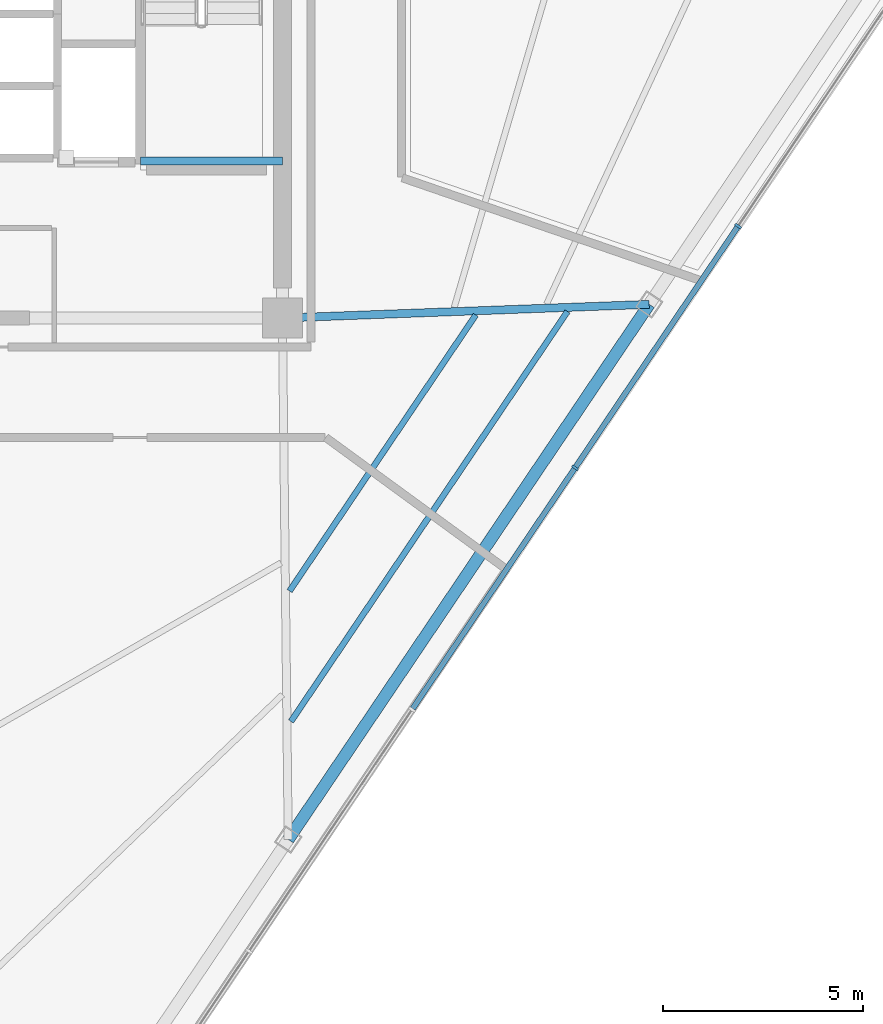
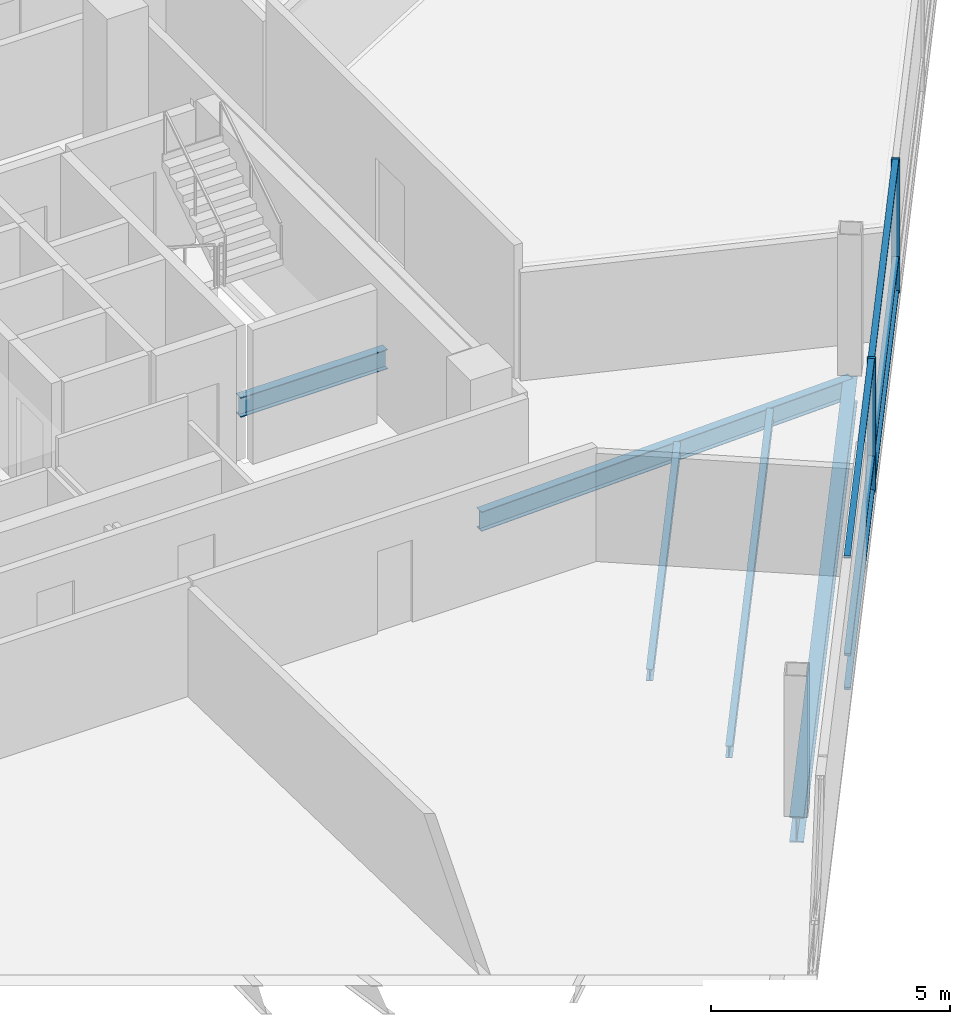
# One storey, part 4 of 14: 8 members, 5 beams, 1 element without a shape of its own.
"""IFC4 building model written with IfcOpenShell, lengths in metres."""

from ifc_helpers import new_model, si_unit, direction, frame, origin, origin_2d, place, context, subcontext, project, spatial, rectangle, i_section, extrude, material, layer, layer_set, material_profile, profile_set, type_object, element, aggregate, save


model = new_model("IFC4")

# Units and contexts
model_context = context("Model", 3, precision=1e-05, world=origin(), true_north=direction((0.0, 1.0)))
body_context = subcontext(model_context, "Body", "Model", "MODEL_VIEW")
ifc_project = project(units=[si_unit("LENGTHUNIT", "METRE"), si_unit("AREAUNIT", "SQUARE_METRE"), si_unit("VOLUMEUNIT", "CUBIC_METRE"), si_unit("PLANEANGLEUNIT", "RADIAN"), si_unit("MASSUNIT", "GRAM", prefix="KILO")], contexts=[model_context])

# Site, building, storey
site_placement = place(None, origin())
site = spatial("IfcSite", under=ifc_project, at=site_placement, CompositionType="ELEMENT")
building_placement = place(site_placement, origin())
building = spatial("IfcBuilding", under=site, at=building_placement, Name="Tharavind Bronze Gate", CompositionType="ELEMENT")
storey_placement = place(building_placement, frame((0.0, 0.0, 241.449951171875)))
storey = spatial("IfcBuildingStorey", under=building, at=storey_placement, Name="L62", CompositionType="ELEMENT", Elevation=241.449951171875)

# Curtain wall, members
ifc_material_1 = material(Name="Anodised Bronze Aluminium", Category="aluminium")
ifc_layer = layer(ifc_material_1, 0.219970703125)
ifc_layer_set = layer_set([ifc_layer], Name="Anodised Bronze Aluminium")
curtain_wall_type = type_object("IfcCurtainWallType", Name="UNITISED CURTAIN WALL UPPER OFFICE", PredefinedType="USERDEFINED", material=ifc_layer_set)
curtain_wall_placement = place(storey_placement, origin())
curtain_wall = element("IfcCurtainWall", 1, at=curtain_wall_placement, inside=storey, type_object=curtain_wall_type, Name="L62 unitised curtain wall upper office CW-L62-S2", ObjectType="UNITISED CURTAIN WALL", PredefinedType="USERDEFINED")
member_type_1 = type_object("IfcMemberType", Name="CURTAIN WALL BRONZE MULLION 65X180", PredefinedType="MULLION", material=ifc_material_1)
member_1_placement = place(storey_placement, frame((16.212890625, -11.34326171875, 0.0), z_axis=(0.0, 0.0, 1.0), x_axis=(0.559192903471, 0.829037572555, 0.0)))
member_1 = element("IfcMember", 2, at=member_1_placement, type_object=member_type_1, Name="CW-L62-S2 mullion 5", PredefinedType="MULLION", context=body_context, shape_type="SweptSolid", body=[
    extrude(rectangle(XDim=0.06494140625, YDim=0.179931640625, at=origin_2d()), origin(), (0.0, 0.0, 1.0), 3.419921875),
])
member_2_placement = place(storey_placement, frame((20.285400390625, -5.305419921875, 0.0), z_axis=(0.0, 0.0, 1.0), x_axis=(0.559192903471, 0.829037572555, 0.0)))
member_2 = element("IfcMember", 3, at=member_2_placement, type_object=member_type_1, Name="CW-L62-S2 mullion 6", PredefinedType="MULLION", context=body_context, shape_type="SweptSolid", body=[
    extrude(rectangle(XDim=0.06494140625, YDim=0.179931640625, at=origin_2d()), origin(), (0.0, 0.0, 1.0), 3.419921875),
])
member_type_2 = type_object("IfcMemberType", Name="CURTAIN WALL BRONZE TRANSOM 65X140", PredefinedType="USERDEFINED", material=ifc_material_1)
member_3_placement = place(storey_placement, frame((14.176513671875, -14.3623046875, 0.0), z_axis=(0.0, 0.0, 1.0), x_axis=(0.559192903471, 0.829037572555, 0.0)))
member_3 = element("IfcMember", 4, at=member_3_placement, type_object=member_type_2, Name="CW-L62-S2 transom TB4", ObjectType="TRANSOM", PredefinedType="USERDEFINED", context=body_context, shape_type="SweptSolid", body=[
    extrude(rectangle(XDim=7.22998046875, YDim=0.139892578125, at=origin_2d()), origin(), (0.0, 0.0, 1.0), 0.06494140625),
])
member_4_placement = place(storey_placement, frame((14.176513671875, -14.3623046875, 0.86767578125), z_axis=(0.0, 0.0, 1.0), x_axis=(0.559192903471, 0.829037572555, 0.0)))
member_4 = element("IfcMember", 5, at=member_4_placement, type_object=member_type_2, Name="CW-L62-S2 transom TS4", ObjectType="TRANSOM", PredefinedType="USERDEFINED", context=body_context, shape_type="SweptSolid", body=[
    extrude(rectangle(XDim=7.22998046875, YDim=0.139892578125, at=origin_2d()), origin(), (0.0, 0.0, 1.0), 0.06494140625),
])
member_5_placement = place(storey_placement, frame((14.176513671875, -14.3623046875, 3.35498046875), z_axis=(0.0, 0.0, 1.0), x_axis=(0.559192903471, 0.829037572555, 0.0)))
member_5 = element("IfcMember", 6, at=member_5_placement, type_object=member_type_2, Name="CW-L62-S2 transom TT4", ObjectType="TRANSOM", PredefinedType="USERDEFINED", context=body_context, shape_type="SweptSolid", body=[
    extrude(rectangle(XDim=7.22998046875, YDim=0.139892578125, at=origin_2d()), origin(), (0.0, 0.0, 1.0), 0.06494140625),
])
member_6_placement = place(storey_placement, frame((18.2490234375, -8.324462890625, 0.0), z_axis=(0.0, 0.0, 1.0), x_axis=(0.559192903471, 0.829037572555, 0.0)))
member_6 = element("IfcMember", 7, at=member_6_placement, type_object=member_type_2, Name="CW-L62-S2 transom TB5", ObjectType="TRANSOM", PredefinedType="USERDEFINED", context=body_context, shape_type="SweptSolid", body=[
    extrude(rectangle(XDim=7.22998046875, YDim=0.139892578125, at=origin_2d()), origin(), (0.0, 0.0, 1.0), 0.06494140625),
])
member_7_placement = place(storey_placement, frame((18.2490234375, -8.324462890625, 0.86767578125), z_axis=(0.0, 0.0, 1.0), x_axis=(0.559192903471, 0.829037572555, 0.0)))
member_7 = element("IfcMember", 8, at=member_7_placement, type_object=member_type_2, Name="CW-L62-S2 transom TS5", ObjectType="TRANSOM", PredefinedType="USERDEFINED", context=body_context, shape_type="SweptSolid", body=[
    extrude(rectangle(XDim=7.22998046875, YDim=0.139892578125, at=origin_2d()), origin(), (0.0, 0.0, 1.0), 0.06494140625),
])
member_8_placement = place(storey_placement, frame((18.2490234375, -8.324462890625, 3.35498046875), z_axis=(0.0, 0.0, 1.0), x_axis=(0.559192903471, 0.829037572555, 0.0)))
member_8 = element("IfcMember", 9, at=member_8_placement, type_object=member_type_2, Name="CW-L62-S2 transom TT5", ObjectType="TRANSOM", PredefinedType="USERDEFINED", context=body_context, shape_type="SweptSolid", body=[
    extrude(rectangle(XDim=7.22998046875, YDim=0.139892578125, at=origin_2d()), origin(), (0.0, 0.0, 1.0), 0.06494140625),
])
aggregate(curtain_wall, [member_1, member_2, member_3, member_4, member_5, member_6, member_7, member_8])

# Beams
ifc_material_2 = material(Name="Steel S355", Category="steel")
ifc_material_profile_1 = material_profile(ifc_material_2, i_section(OverallWidth=0.300048828125, OverallDepth=0.64990234375, WebThickness=0.01611328125, FlangeThickness=0.031005859375, at=origin_2d()), Name="HE650B")
ifc_profile_set_1 = profile_set([ifc_material_profile_1], Name="Steel S355")
beam_type_1 = type_object("IfcBeamType", Name="PRIMARY GIRDER HE650B", PredefinedType="USERDEFINED", material=ifc_profile_set_1)
beam_1_placement = place(storey_placement, frame((9.045654296875, -20.627685546875, -0.5048828125), z_axis=(0.559202164633, 0.829031325747, 0.0), x_axis=(-0.829031325747, 0.559202164633, 0.0)))
element("IfcBeam", 10, at=beam_1_placement, inside=storey, type_object=beam_type_1, Name="L62 primary girder he650b BM-L62-PRG06", ObjectType="GIRDER", PredefinedType="USERDEFINED", context=body_context, shape_type="SweptSolid", body=[
    extrude(i_section(OverallWidth=0.300048828125, OverallDepth=0.64990234375, WebThickness=0.01611328125, FlangeThickness=0.031005859375, at=origin_2d()), origin(), (0.0, 0.0, 1.0), 16.127197265625),
])
ifc_material_profile_2 = material_profile(ifc_material_2, i_section(OverallWidth=0.199951171875, OverallDepth=0.5, WebThickness=0.01025390625, FlangeThickness=0.01611328125, at=origin_2d()), Name="IPE500")
ifc_profile_set_2 = profile_set([ifc_material_profile_2], Name="Steel S355")
beam_type_2 = type_object("IfcBeamType", Name="PRIMARY GIRDER IPE500", PredefinedType="USERDEFINED", material=ifc_profile_set_2)
beam_2_placement = place(storey_placement, frame((5.35009765625, -3.679931640625, 1.35009765625), z_axis=(1.0, 0.0, 0.0), x_axis=(0.0, 1.0, 0.0)))
element("IfcBeam", 11, at=beam_2_placement, inside=storey, type_object=beam_type_2, Name="L62 primary girder ipe500 BM-LD-ST2-L62-1", ObjectType="GIRDER", PredefinedType="USERDEFINED", context=body_context, shape_type="SweptSolid", body=[
    extrude(i_section(OverallWidth=0.199951171875, OverallDepth=0.5, WebThickness=0.01025390625, FlangeThickness=0.01611328125, at=origin_2d()), origin(), (0.0, 0.0, 1.0), 3.5498046875),
])
beam_3_placement = place(storey_placement, frame((18.06396484375, -7.2578125, -0.429931640625), z_axis=(-0.999303187499, -0.037324783378, 0.0), x_axis=(0.037324783378, -0.999303187499, 0.0)))
element("IfcBeam", 12, at=beam_3_placement, inside=storey, type_object=beam_type_2, Name="L62 primary girder ipe500 BM-L62-RAD07", ObjectType="GIRDER", PredefinedType="USERDEFINED", context=body_context, shape_type="SweptSolid", body=[
    extrude(i_section(OverallWidth=0.199951171875, OverallDepth=0.5, WebThickness=0.01025390625, FlangeThickness=0.01611328125, at=origin_2d()), origin(), (0.0, 0.0, 1.0), 9.17041015625),
])
ifc_material_profile_3 = material_profile(ifc_material_2, i_section(OverallWidth=0.14990234375, OverallDepth=0.300048828125, WebThickness=0.007080078125, FlangeThickness=0.0107421875, at=origin_2d()), Name="IPE300")
ifc_profile_set_3 = profile_set([ifc_material_profile_3], Name="Steel S355")
beam_type_3 = type_object("IfcBeamType", Name="SECONDARY FLOOR JOIST IPE300", PredefinedType="JOIST", material=ifc_profile_set_3)
beam_4_placement = place(storey_placement, frame((9.07861328125, -14.420654296875, -0.329833984375), z_axis=(0.559181536452, 0.829045239593, 0.0), x_axis=(-0.829045239593, 0.559181536452, 0.0)))
element("IfcBeam", 13, at=beam_4_placement, inside=storey, type_object=beam_type_3, Name="L62 secondary floor joist ipe300 BM-L62-JSTA06", PredefinedType="JOIST", context=body_context, shape_type="SweptSolid", body=[
    extrude(i_section(OverallWidth=0.14990234375, OverallDepth=0.300048828125, WebThickness=0.007080078125, FlangeThickness=0.0107421875, at=origin_2d()), origin(), (0.0, 0.0, 1.0), 8.3203125),
])
beam_5_placement = place(storey_placement, frame((9.114990234375, -17.677734375, -0.329833984375), z_axis=(0.559189375042, 0.8290399525, 0.0), x_axis=(-0.8290399525, 0.559189375042, 0.0)))
element("IfcBeam", 14, at=beam_5_placement, inside=storey, type_object=beam_type_3, Name="L62 secondary floor joist ipe300 BM-L62-JSTB06", PredefinedType="JOIST", context=body_context, shape_type="SweptSolid", body=[
    extrude(i_section(OverallWidth=0.14990234375, OverallDepth=0.300048828125, WebThickness=0.007080078125, FlangeThickness=0.0107421875, at=origin_2d()), origin(), (0.0, 0.0, 1.0), 12.352294921875),
])

save(model, "model.ifc")
